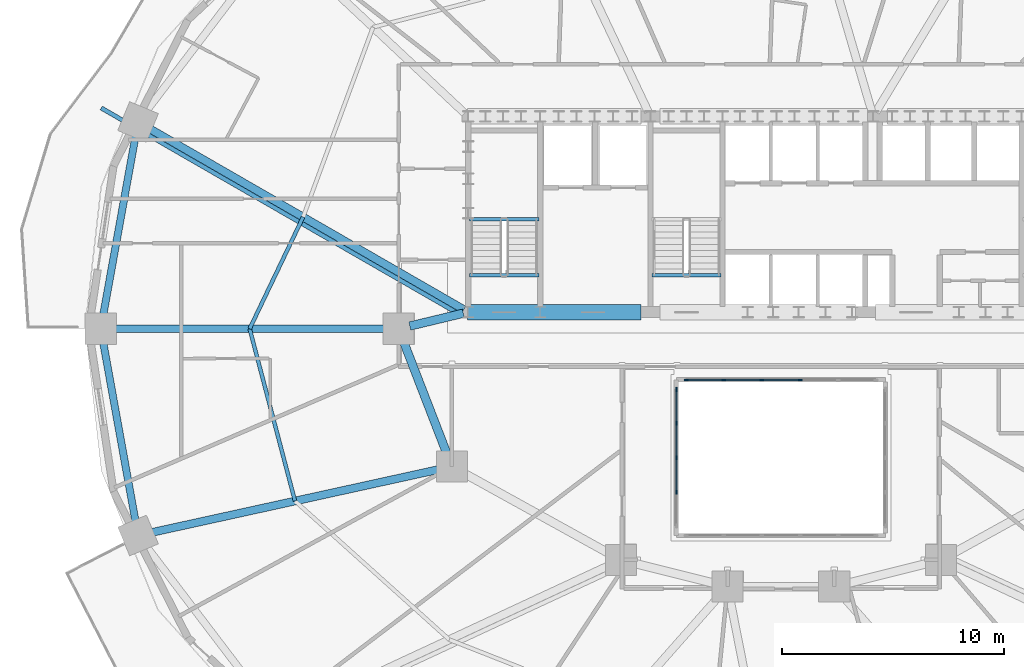
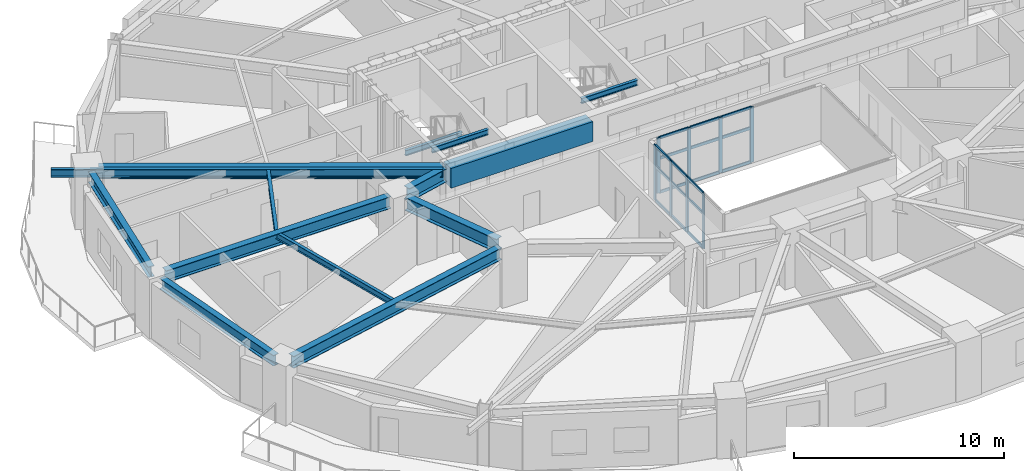
# One storey, part 4 of 18: 26 members, 14 beams, 2 elements without a shape of their own.
"""IFC4 building model written with IfcOpenShell, lengths in metres."""

from ifc_helpers import new_model, si_unit, direction, frame, origin, origin_2d, place, context, subcontext, project, spatial, rectangle, i_section, extrude, material, material_profile, profile_set, type_object, element, aggregate, save


model = new_model("IFC4")

# Units and contexts
model_context = context("Model", 3, precision=1e-05, world=origin(), true_north=direction((0.0, 1.0)))
body_context = subcontext(model_context, "Body", "Model", "MODEL_VIEW")
ifc_project = project(units=[si_unit("LENGTHUNIT", "METRE"), si_unit("AREAUNIT", "SQUARE_METRE"), si_unit("VOLUMEUNIT", "CUBIC_METRE"), si_unit("PLANEANGLEUNIT", "RADIAN"), si_unit("MASSUNIT", "GRAM", prefix="KILO")], contexts=[model_context])

# Site, building, storey
site_placement = place(None, origin())
site = spatial("IfcSite", under=ifc_project, at=site_placement, CompositionType="ELEMENT")
building_placement = place(site_placement, origin())
building = spatial("IfcBuilding", under=site, at=building_placement, Name="Haldorwick Loom Tower", CompositionType="ELEMENT")
storey_placement = place(building_placement, frame((0.0, 0.0, 41.25)))
storey = spatial("IfcBuildingStorey", under=building, at=storey_placement, Name="L10", CompositionType="ELEMENT", Elevation=41.25)

# Curtain wall, members
ifc_material_1 = material(Name="Thermally Broken Anodized Aluminium Curtain Wall Framing", Category="aluminium")
curtain_wall_type = type_object("IfcCurtainWallType", Name="ARC-CW-03", PredefinedType="NOTDEFINED", material=ifc_material_1)
curtain_wall_1_placement = place(storey_placement, origin())
curtain_wall_1 = element("IfcCurtainWall", 1, at=curtain_wall_1_placement, inside=storey, type_object=curtain_wall_type, Name="L10 Atrium Glazed Screen N", PredefinedType="NOTDEFINED")
ifc_material_profile_1 = material_profile(ifc_material_1, rectangle(XDim=0.06591796875, YDim=0.18505859375, at=origin_2d()), Name="ALU_MUL_66X185", Category="aluminium")
ifc_profile_set_1 = profile_set([ifc_material_profile_1], Name="Thermally Broken Anodized Aluminium Curtain Wall Framing")
member_type_1 = type_object("IfcMemberType", Name="ARC-CWM-03", PredefinedType="MULLION", material=ifc_profile_set_1)
member_1_placement = place(storey_placement, frame((31.73291015625, 23.699951171875, 0.0), z_axis=(0.0, 0.0, 1.0), x_axis=(0.0, 1.0, 0.0)))
member_1 = element("IfcMember", 2, at=member_1_placement, type_object=member_type_1, Name="CW-03 mullion 1", PredefinedType="MULLION", context=body_context, shape_type="SweptSolid", body=[
    extrude(rectangle(XDim=0.06591796875, YDim=0.18505859375, at=origin_2d()), origin(), (0.0, 0.0, 1.0), 3.2099609375),
])
member_2_placement = place(storey_placement, frame((33.419921875, 23.699951171875, 0.0), z_axis=(0.0, 0.0, 1.0), x_axis=(0.0, 1.0, 0.0)))
member_2 = element("IfcMember", 3, at=member_2_placement, type_object=member_type_1, Name="CW-03 mullion 2", PredefinedType="MULLION", context=body_context, shape_type="SweptSolid", body=[
    extrude(rectangle(XDim=0.06591796875, YDim=0.18505859375, at=origin_2d()), origin(), (0.0, 0.0, 1.0), 3.2099609375),
])
member_3_placement = place(storey_placement, frame((35.139892578125, 23.699951171875, 0.0), z_axis=(0.0, 0.0, 1.0), x_axis=(0.0, 1.0, 0.0)))
member_3 = element("IfcMember", 4, at=member_3_placement, type_object=member_type_1, Name="CW-03 mullion 3", PredefinedType="MULLION", context=body_context, shape_type="SweptSolid", body=[
    extrude(rectangle(XDim=0.06591796875, YDim=0.18505859375, at=origin_2d()), origin(), (0.0, 0.0, 1.0), 3.2099609375),
])
member_4_placement = place(storey_placement, frame((36.860107421875, 23.699951171875, 0.0), z_axis=(0.0, 0.0, 1.0), x_axis=(0.0, 1.0, 0.0)))
member_4 = element("IfcMember", 5, at=member_4_placement, type_object=member_type_1, Name="CW-03 mullion 4", PredefinedType="MULLION", context=body_context, shape_type="SweptSolid", body=[
    extrude(rectangle(XDim=0.06591796875, YDim=0.18505859375, at=origin_2d()), origin(), (0.0, 0.0, 1.0), 3.2099609375),
])

curtain_wall_2_placement = place(storey_placement, origin())
curtain_wall_2 = element("IfcCurtainWall", 6, at=curtain_wall_2_placement, inside=storey, type_object=curtain_wall_type, Name="L10 Atrium Glazed Screen W", PredefinedType="NOTDEFINED")
member_5_placement = place(storey_placement, frame((31.300048828125, 18.64990234375, 0.0), z_axis=(0.0, 0.0, 1.0), x_axis=(-1.0, 0.0, 0.0)))
member_5 = element("IfcMember", 7, at=member_5_placement, type_object=member_type_1, Name="CW-03 mullion 2", PredefinedType="MULLION", context=body_context, shape_type="SweptSolid", body=[
    extrude(rectangle(XDim=0.06591796875, YDim=0.18505859375, at=origin_2d()), origin(), (0.0, 0.0, 1.0), 3.2099609375),
])
member_6_placement = place(storey_placement, frame((31.300048828125, 20.199951171875, 0.0), z_axis=(0.0, 0.0, 1.0), x_axis=(-1.0, 0.0, 0.0)))
member_6 = element("IfcMember", 8, at=member_6_placement, type_object=member_type_1, Name="CW-03 mullion 3", PredefinedType="MULLION", context=body_context, shape_type="SweptSolid", body=[
    extrude(rectangle(XDim=0.06591796875, YDim=0.18505859375, at=origin_2d()), origin(), (0.0, 0.0, 1.0), 3.2099609375),
])
member_7_placement = place(storey_placement, frame((31.300048828125, 21.75, 0.0), z_axis=(0.0, 0.0, 1.0), x_axis=(-1.0, 0.0, 0.0)))
member_7 = element("IfcMember", 9, at=member_7_placement, type_object=member_type_1, Name="CW-03 mullion 4", PredefinedType="MULLION", context=body_context, shape_type="SweptSolid", body=[
    extrude(rectangle(XDim=0.06591796875, YDim=0.18505859375, at=origin_2d()), origin(), (0.0, 0.0, 1.0), 3.2099609375),
])
member_8_placement = place(storey_placement, frame((31.300048828125, 23.26708984375, 0.0), z_axis=(0.0, 0.0, 1.0), x_axis=(-1.0, 0.0, 0.0)))
member_8 = element("IfcMember", 10, at=member_8_placement, type_object=member_type_1, Name="CW-03 mullion 5", PredefinedType="MULLION", context=body_context, shape_type="SweptSolid", body=[
    extrude(rectangle(XDim=0.06591796875, YDim=0.18505859375, at=origin_2d()), origin(), (0.0, 0.0, 1.0), 3.2099609375),
])

# Member
ifc_material_profile_2 = material_profile(ifc_material_1, rectangle(XDim=0.06591796875, YDim=0.1650390625, at=origin_2d()), Name="ALU_TRN_66X165", Category="aluminium")
ifc_profile_set_2 = profile_set([ifc_material_profile_2], Name="Thermally Broken Anodized Aluminium Curtain Wall Framing")
member_type_2 = type_object("IfcMemberType", Name="ARC-CWT-03", PredefinedType="USERDEFINED", material=ifc_profile_set_2)
member_9_placement = place(storey_placement, frame((31.76611328125, 23.699951171875, 0.032958984375), z_axis=(1.0, 0.0, 0.0), x_axis=(0.0, 1.0, 0.0)))
member_9 = element("IfcMember", 11, at=member_9_placement, type_object=member_type_2, Name="CW-03 transom 1.1", ObjectType="TRANSOM", PredefinedType="USERDEFINED", context=body_context, shape_type="SweptSolid", body=[
    extrude(rectangle(XDim=0.06591796875, YDim=0.1650390625, at=origin_2d()), origin(), (0.0, 0.0, 1.0), 1.620849609375),
])

member_10_placement = place(storey_placement, frame((31.76611328125, 23.699951171875, 2.0), z_axis=(1.0, 0.0, 0.0), x_axis=(0.0, 1.0, 0.0)))
member_10 = element("IfcMember", 12, at=member_10_placement, type_object=member_type_2, Name="CW-03 transom 1.2", ObjectType="TRANSOM", PredefinedType="USERDEFINED", context=body_context, shape_type="SweptSolid", body=[
    extrude(rectangle(XDim=0.06591796875, YDim=0.1650390625, at=origin_2d()), origin(), (0.0, 0.0, 1.0), 1.620849609375),
])

member_11_placement = place(storey_placement, frame((31.76611328125, 23.699951171875, 3.177001953125), z_axis=(1.0, 0.0, 0.0), x_axis=(0.0, 1.0, 0.0)))
member_11 = element("IfcMember", 13, at=member_11_placement, type_object=member_type_2, Name="CW-03 transom 1.3", ObjectType="TRANSOM", PredefinedType="USERDEFINED", context=body_context, shape_type="SweptSolid", body=[
    extrude(rectangle(XDim=0.06591796875, YDim=0.1650390625, at=origin_2d()), origin(), (0.0, 0.0, 1.0), 1.620849609375),
])

member_12_placement = place(storey_placement, frame((33.452880859375, 23.699951171875, 0.032958984375), z_axis=(1.0, 0.0, 0.0), x_axis=(0.0, 1.0, 0.0)))
member_12 = element("IfcMember", 14, at=member_12_placement, type_object=member_type_2, Name="CW-03 transom 2.1", ObjectType="TRANSOM", PredefinedType="USERDEFINED", context=body_context, shape_type="SweptSolid", body=[
    extrude(rectangle(XDim=0.06591796875, YDim=0.1650390625, at=origin_2d()), origin(), (0.0, 0.0, 1.0), 1.654052734375),
])

member_13_placement = place(storey_placement, frame((33.452880859375, 23.699951171875, 2.0), z_axis=(1.0, 0.0, 0.0), x_axis=(0.0, 1.0, 0.0)))
member_13 = element("IfcMember", 15, at=member_13_placement, type_object=member_type_2, Name="CW-03 transom 2.2", ObjectType="TRANSOM", PredefinedType="USERDEFINED", context=body_context, shape_type="SweptSolid", body=[
    extrude(rectangle(XDim=0.06591796875, YDim=0.1650390625, at=origin_2d()), origin(), (0.0, 0.0, 1.0), 1.654052734375),
])

member_14_placement = place(storey_placement, frame((33.452880859375, 23.699951171875, 3.177001953125), z_axis=(1.0, 0.0, 0.0), x_axis=(0.0, 1.0, 0.0)))
member_14 = element("IfcMember", 16, at=member_14_placement, type_object=member_type_2, Name="CW-03 transom 2.3", ObjectType="TRANSOM", PredefinedType="USERDEFINED", context=body_context, shape_type="SweptSolid", body=[
    extrude(rectangle(XDim=0.06591796875, YDim=0.1650390625, at=origin_2d()), origin(), (0.0, 0.0, 1.0), 1.654052734375),
])

member_15_placement = place(storey_placement, frame((35.173095703125, 23.699951171875, 0.032958984375), z_axis=(1.0, 0.0, 0.0), x_axis=(0.0, 1.0, 0.0)))
member_15 = element("IfcMember", 17, at=member_15_placement, type_object=member_type_2, Name="CW-03 transom 3.1", ObjectType="TRANSOM", PredefinedType="USERDEFINED", context=body_context, shape_type="SweptSolid", body=[
    extrude(rectangle(XDim=0.06591796875, YDim=0.1650390625, at=origin_2d()), origin(), (0.0, 0.0, 1.0), 1.65380859375),
])

member_16_placement = place(storey_placement, frame((35.173095703125, 23.699951171875, 2.0), z_axis=(1.0, 0.0, 0.0), x_axis=(0.0, 1.0, 0.0)))
member_16 = element("IfcMember", 18, at=member_16_placement, type_object=member_type_2, Name="CW-03 transom 3.2", ObjectType="TRANSOM", PredefinedType="USERDEFINED", context=body_context, shape_type="SweptSolid", body=[
    extrude(rectangle(XDim=0.06591796875, YDim=0.1650390625, at=origin_2d()), origin(), (0.0, 0.0, 1.0), 1.65380859375),
])

member_17_placement = place(storey_placement, frame((35.173095703125, 23.699951171875, 3.177001953125), z_axis=(1.0, 0.0, 0.0), x_axis=(0.0, 1.0, 0.0)))
member_17 = element("IfcMember", 19, at=member_17_placement, type_object=member_type_2, Name="CW-03 transom 3.3", ObjectType="TRANSOM", PredefinedType="USERDEFINED", context=body_context, shape_type="SweptSolid", body=[
    extrude(rectangle(XDim=0.06591796875, YDim=0.1650390625, at=origin_2d()), origin(), (0.0, 0.0, 1.0), 1.65380859375),
])

aggregate(curtain_wall_1, [member_1, member_2, member_3, member_4, member_9, member_10, member_11, member_12, member_13, member_14, member_15, member_16, member_17])

member_18_placement = place(storey_placement, frame((31.300048828125, 18.68310546875, 0.032958984375), z_axis=(0.0, 1.0, 0.0), x_axis=(-1.0, 0.0, 0.0)))
member_18 = element("IfcMember", 20, at=member_18_placement, type_object=member_type_2, Name="CW-03 transom 2.1", ObjectType="TRANSOM", PredefinedType="USERDEFINED", context=body_context, shape_type="SweptSolid", body=[
    extrude(rectangle(XDim=0.06591796875, YDim=0.1650390625, at=origin_2d()), origin(), (0.0, 0.0, 1.0), 1.48388671875),
])

member_19_placement = place(storey_placement, frame((31.300048828125, 18.68310546875, 2.0), z_axis=(0.0, 1.0, 0.0), x_axis=(-1.0, 0.0, 0.0)))
member_19 = element("IfcMember", 21, at=member_19_placement, type_object=member_type_2, Name="CW-03 transom 2.2", ObjectType="TRANSOM", PredefinedType="USERDEFINED", context=body_context, shape_type="SweptSolid", body=[
    extrude(rectangle(XDim=0.06591796875, YDim=0.1650390625, at=origin_2d()), origin(), (0.0, 0.0, 1.0), 1.48388671875),
])

member_20_placement = place(storey_placement, frame((31.300048828125, 18.68310546875, 3.177001953125), z_axis=(0.0, 1.0, 0.0), x_axis=(-1.0, 0.0, 0.0)))
member_20 = element("IfcMember", 22, at=member_20_placement, type_object=member_type_2, Name="CW-03 transom 2.3", ObjectType="TRANSOM", PredefinedType="USERDEFINED", context=body_context, shape_type="SweptSolid", body=[
    extrude(rectangle(XDim=0.06591796875, YDim=0.1650390625, at=origin_2d()), origin(), (0.0, 0.0, 1.0), 1.48388671875),
])

member_21_placement = place(storey_placement, frame((31.300048828125, 20.23291015625, 0.032958984375), z_axis=(0.0, 1.0, 0.0), x_axis=(-1.0, 0.0, 0.0)))
member_21 = element("IfcMember", 23, at=member_21_placement, type_object=member_type_2, Name="CW-03 transom 3.1", ObjectType="TRANSOM", PredefinedType="USERDEFINED", context=body_context, shape_type="SweptSolid", body=[
    extrude(rectangle(XDim=0.06591796875, YDim=0.1650390625, at=origin_2d()), origin(), (0.0, 0.0, 1.0), 1.484130859375),
])

member_22_placement = place(storey_placement, frame((31.300048828125, 20.23291015625, 2.0), z_axis=(0.0, 1.0, 0.0), x_axis=(-1.0, 0.0, 0.0)))
member_22 = element("IfcMember", 24, at=member_22_placement, type_object=member_type_2, Name="CW-03 transom 3.2", ObjectType="TRANSOM", PredefinedType="USERDEFINED", context=body_context, shape_type="SweptSolid", body=[
    extrude(rectangle(XDim=0.06591796875, YDim=0.1650390625, at=origin_2d()), origin(), (0.0, 0.0, 1.0), 1.484130859375),
])

member_23_placement = place(storey_placement, frame((31.300048828125, 20.23291015625, 3.177001953125), z_axis=(0.0, 1.0, 0.0), x_axis=(-1.0, 0.0, 0.0)))
member_23 = element("IfcMember", 25, at=member_23_placement, type_object=member_type_2, Name="CW-03 transom 3.3", ObjectType="TRANSOM", PredefinedType="USERDEFINED", context=body_context, shape_type="SweptSolid", body=[
    extrude(rectangle(XDim=0.06591796875, YDim=0.1650390625, at=origin_2d()), origin(), (0.0, 0.0, 1.0), 1.484130859375),
])

member_24_placement = place(storey_placement, frame((31.300048828125, 21.782958984375, 0.032958984375), z_axis=(0.0, 1.0, 0.0), x_axis=(-1.0, 0.0, 0.0)))
member_24 = element("IfcMember", 26, at=member_24_placement, type_object=member_type_2, Name="CW-03 transom 4.1", ObjectType="TRANSOM", PredefinedType="USERDEFINED", context=body_context, shape_type="SweptSolid", body=[
    extrude(rectangle(XDim=0.06591796875, YDim=0.1650390625, at=origin_2d()), origin(), (0.0, 0.0, 1.0), 1.450927734375),
])

member_25_placement = place(storey_placement, frame((31.300048828125, 21.782958984375, 2.0), z_axis=(0.0, 1.0, 0.0), x_axis=(-1.0, 0.0, 0.0)))
member_25 = element("IfcMember", 27, at=member_25_placement, type_object=member_type_2, Name="CW-03 transom 4.2", ObjectType="TRANSOM", PredefinedType="USERDEFINED", context=body_context, shape_type="SweptSolid", body=[
    extrude(rectangle(XDim=0.06591796875, YDim=0.1650390625, at=origin_2d()), origin(), (0.0, 0.0, 1.0), 1.450927734375),
])

member_26_placement = place(storey_placement, frame((31.300048828125, 21.782958984375, 3.177001953125), z_axis=(0.0, 1.0, 0.0), x_axis=(-1.0, 0.0, 0.0)))
member_26 = element("IfcMember", 28, at=member_26_placement, type_object=member_type_2, Name="CW-03 transom 4.3", ObjectType="TRANSOM", PredefinedType="USERDEFINED", context=body_context, shape_type="SweptSolid", body=[
    extrude(rectangle(XDim=0.06591796875, YDim=0.1650390625, at=origin_2d()), origin(), (0.0, 0.0, 1.0), 1.450927734375),
])

aggregate(curtain_wall_2, [member_5, member_6, member_7, member_8, member_18, member_19, member_20, member_21, member_22, member_23, member_24, member_25, member_26])

# Beams
ifc_material_2 = material(Name="Steel CSA G40.21 350W", Category="steel")
ifc_material_profile_3 = material_profile(ifc_material_2, i_section(OverallWidth=0.193115234375, OverallDepth=0.466064453125, WebThickness=0.011474609375, FlangeThickness=0.01904296875, at=origin_2d()), Name="W460X97", Category="steel")
ifc_profile_set_3 = profile_set([ifc_material_profile_3], Name="Steel CSA G40.21 350W")
beam_type_1 = type_object("IfcBeamType", Name="STR-BM-BAL460", PredefinedType="BEAM", material=ifc_profile_set_3)
beam_1_placement = place(storey_placement, frame((21.59521484375, 26.61962890625, 2.97705078125), z_axis=(-0.866607024941, 0.49899124674, 0.0), x_axis=(-0.49899124674, -0.866607024941, 0.0)))
element("IfcBeam", 29, at=beam_1_placement, inside=storey, type_object=beam_type_1, Name="L10 Continuous Back-Spanned Balcony Beam 3", PredefinedType="BEAM", context=body_context, shape_type="SweptSolid", body=[
    extrude(i_section(OverallWidth=0.193115234375, OverallDepth=0.466064453125, WebThickness=0.011474609375, FlangeThickness=0.01904296875, at=origin_2d()), origin(), (0.0, 0.0, 1.0), 18.65771484375),
])
ifc_material_3 = material(Name="Concrete C60 (60 MPa)", Category="concrete")
ifc_material_profile_4 = material_profile(ifc_material_3, rectangle(XDim=0.699951171875, YDim=1.14990234375, at=origin_2d()), Name="RC700X1150", Category="concrete")
ifc_profile_set_4 = profile_set([ifc_material_profile_4], Name="Concrete C60 (60 MPa)")
beam_type_2 = type_object("IfcBeamType", Name="STR-BM-CB1150", PredefinedType="LINTEL", material=ifc_profile_set_4)
beam_2_placement = place(storey_placement, frame((21.89990234375, 26.75, 2.635009765625), z_axis=(1.0, 0.0, 0.0), x_axis=(0.0, 1.0, 0.0)))
element("IfcBeam", 30, at=beam_2_placement, inside=storey, type_object=beam_type_2, Name="L10 Core Coupling Beam CB-S1", PredefinedType="LINTEL", context=body_context, shape_type="SweptSolid", body=[
    extrude(rectangle(XDim=0.699951171875, YDim=1.14990234375, at=origin_2d()), origin(), (0.0, 0.0, 1.0), 7.800048828125),
])
ifc_material_profile_5 = material_profile(ifc_material_2, i_section(OverallWidth=0.172119140625, OverallDepth=0.35791015625, WebThickness=0.0078125, FlangeThickness=0.01318359375, at=origin_2d()), Name="W360X57", Category="steel")
ifc_profile_set_5 = profile_set([ifc_material_profile_5], Name="Steel CSA G40.21 350W")
beam_type_3 = type_object("IfcBeamType", Name="STR-BM-J360", PredefinedType="JOIST", material=ifc_profile_set_5)
beam_3_placement = place(storey_placement, frame((14.50634765625, 31.024658203125, 3.031005859375), z_axis=(-0.431630738849, -0.902050389546, 0.0), x_axis=(0.902050389546, -0.431630738849, 0.0)))
element("IfcBeam", 31, at=beam_3_placement, inside=storey, type_object=beam_type_3, Name="L10 Mid-Bay Secondary Joist 8", PredefinedType="JOIST", context=body_context, shape_type="SweptSolid", body=[
    extrude(i_section(OverallWidth=0.172119140625, OverallDepth=0.35791015625, WebThickness=0.0078125, FlangeThickness=0.01318359375, at=origin_2d()), origin(), (0.0, 0.0, 1.0), 5.5703125),
])
beam_4_placement = place(storey_placement, frame((12.10205078125, 26.0, 3.031005859375), z_axis=(0.2544888003, -0.967075721193, 0.0), x_axis=(0.967075721193, 0.2544888003, 0.0)))
element("IfcBeam", 32, at=beam_4_placement, inside=storey, type_object=beam_type_3, Name="L10 Mid-Bay Secondary Joist 9", PredefinedType="JOIST", context=body_context, shape_type="SweptSolid", body=[
    extrude(i_section(OverallWidth=0.172119140625, OverallDepth=0.35791015625, WebThickness=0.0078125, FlangeThickness=0.01318359375, at=origin_2d()), origin(), (0.0, 0.0, 1.0), 8.013427734375),
])
ifc_material_profile_6 = material_profile(ifc_material_2, i_section(OverallWidth=0.324951171875, OverallDepth=0.615966796875, WebThickness=0.013916015625, FlangeThickness=0.021484375, at=origin_2d()), Name="W610X174", Category="steel")
ifc_profile_set_6 = profile_set([ifc_material_profile_6], Name="Steel CSA G40.21 350W")
beam_type_4 = type_object("IfcBeamType", Name="STR-BM-SP610", PredefinedType="SPANDREL", material=ifc_profile_set_6)
for number, where, z_axis, x_axis, name in (
    (33, (6.990234375, 34.78759765625, 2.902099609375), (-0.177641139482, -0.984095333575, 0.0), (0.984095333575, -0.177641139482, 0.0), "L10 Perimeter Spandrel 8"),
    (34, (5.496337890625, 25.48828125, 2.902099609375), (0.177641139482, -0.984095333575, 0.0), (0.984095333575, 0.177641139482, 0.0), "L10 Perimeter Spandrel 9"),
):
    element("IfcBeam", number, at=place(storey_placement, frame(where, z_axis=z_axis, x_axis=x_axis)), inside=storey, type_object=beam_type_4, Name=name, PredefinedType="SPANDREL", context=body_context, shape_type="SweptSolid", body=[
        extrude(i_section(OverallWidth=0.324951171875, OverallDepth=0.615966796875, WebThickness=0.013916015625, FlangeThickness=0.021484375, at=origin_2d()), origin(), (0.0, 0.0, 1.0), 8.40966796875),
    ])
ifc_material_profile_7 = material_profile(ifc_material_2, i_section(OverallWidth=0.166015625, OverallDepth=0.31298828125, WebThickness=0.006591796875, FlangeThickness=0.01123046875, at=origin_2d()), Name="W310X45", Category="steel")
ifc_profile_set_7 = profile_set([ifc_material_profile_7], Name="Steel CSA G40.21 350W")
beam_type_5 = type_object("IfcBeamType", Name="STR-BM-STRM", PredefinedType="BEAM", material=ifc_profile_set_7)
for number, where, z_axis, x_axis, name in (
    (35, (21.989990234375, 28.39990234375, 3.053466796875), (1.0, 0.0, 0.0), (0.0, 1.0, 0.0), "L10 Stair ST-01 Landing Edge Trimmer"),
    (36, (21.989990234375, 30.919921875, 1.368408203125), (1.0, 0.0, 0.0), (0.0, 1.0, 0.0), "L10 Stair ST-01 Half-Landing Trimmer 1"),
    (37, (30.18994140625, 28.39990234375, 3.053466796875), (1.0, 0.0, 0.0), (0.0, 1.0, 0.0), "L10 Stair ST-03 Landing Edge Trimmer"),
):
    element("IfcBeam", number, at=place(storey_placement, frame(where, z_axis=z_axis, x_axis=x_axis)), inside=storey, type_object=beam_type_5, Name=name, PredefinedType="BEAM", context=body_context, shape_type="SweptSolid", body=[
        extrude(i_section(OverallWidth=0.166015625, OverallDepth=0.31298828125, WebThickness=0.006591796875, FlangeThickness=0.01123046875, at=origin_2d()), origin(), (0.0, 0.0, 1.0), 3.1201171875),
    ])
ifc_material_profile_8 = material_profile(ifc_material_2, i_section(OverallWidth=0.35498046875, OverallDepth=0.695068359375, WebThickness=0.015380859375, FlangeThickness=0.02490234375, at=origin_2d()), Name="W690X217", Category="steel")
ifc_profile_set_8 = profile_set([ifc_material_profile_8], Name="Steel CSA G40.21 350W")
beam_type_6 = type_object("IfcBeamType", Name="STR-BM-W690", PredefinedType="BEAM", material=ifc_profile_set_8)
beam_5_placement = place(storey_placement, frame((21.735107421875, 26.8623046875, 2.862548828125), z_axis=(-0.86660566838, 0.498993602696, 0.0), x_axis=(-0.498993602696, -0.86660566838, 0.0)))
element("IfcBeam", 38, at=beam_5_placement, inside=storey, type_object=beam_type_6, Name="L10 Radial Floor Girder 8", PredefinedType="BEAM", context=body_context, shape_type="SweptSolid", body=[
    extrude(i_section(OverallWidth=0.35498046875, OverallDepth=0.695068359375, WebThickness=0.015380859375, FlangeThickness=0.02490234375, at=origin_2d()), origin(), (0.0, 0.0, 1.0), 16.387939453125),
])
beam_6_placement = place(storey_placement, frame((18.280029296875, 26.0, 2.862548828125), z_axis=(-1.0, 0.0, 0.0), x_axis=(0.0, -1.0, 0.0)))
element("IfcBeam", 39, at=beam_6_placement, inside=storey, type_object=beam_type_6, Name="L10 Radial Floor Girder 9", PredefinedType="BEAM", context=body_context, shape_type="SweptSolid", body=[
    extrude(i_section(OverallWidth=0.35498046875, OverallDepth=0.695068359375, WebThickness=0.015380859375, FlangeThickness=0.02490234375, at=origin_2d()), origin(), (0.0, 0.0, 1.0), 12.35595703125),
])
beam_7_placement = place(storey_placement, frame((20.692138671875, 19.6884765625, 2.862548828125), z_axis=(-0.976740159434, -0.214426353203, 0.0), x_axis=(0.214426353203, -0.976740159434, 0.0)))
element("IfcBeam", 40, at=beam_7_placement, inside=storey, type_object=beam_type_6, Name="L10 Radial Floor Girder 10", PredefinedType="BEAM", context=body_context, shape_type="SweptSolid", body=[
    extrude(i_section(OverallWidth=0.35498046875, OverallDepth=0.695068359375, WebThickness=0.015380859375, FlangeThickness=0.02490234375, at=origin_2d()), origin(), (0.0, 0.0, 1.0), 13.41357421875),
])
ifc_material_profile_9 = material_profile(ifc_material_2, i_section(OverallWidth=0.381103515625, OverallDepth=0.77294921875, WebThickness=0.0166015625, FlangeThickness=0.027587890625, at=origin_2d()), Name="W760X257", Category="steel")
ifc_profile_set_9 = profile_set([ifc_material_profile_9], Name="Steel CSA G40.21 350W")
beam_type_7 = type_object("IfcBeamType", Name="STR-BM-W760", PredefinedType="BEAM", material=ifc_profile_set_9)
beam_8_placement = place(storey_placement, frame((21.01220703125, 20.284912109375, 2.823486328125), z_axis=(-0.360964792353, 0.93257944363, 0.0), x_axis=(-0.93257944363, -0.360964792353, 0.0)))
element("IfcBeam", 41, at=beam_8_placement, inside=storey, type_object=beam_type_7, Name="L10 Inner Ring Girder 8", PredefinedType="BEAM", context=body_context, shape_type="SweptSolid", body=[
    extrude(i_section(OverallWidth=0.381103515625, OverallDepth=0.77294921875, WebThickness=0.0166015625, FlangeThickness=0.027587890625, at=origin_2d()), origin(), (0.0, 0.0, 1.0), 5.6083984375),
])
beam_9_placement = place(storey_placement, frame((19.3056640625, 26.12109375, 2.823486328125), z_axis=(0.97247055837, 0.233025777764, 0.0), x_axis=(-0.233025777764, 0.97247055837, 0.0)))
element("IfcBeam", 42, at=beam_9_placement, inside=storey, type_object=beam_type_7, Name="L10 Inner Ring Girder 9", PredefinedType="BEAM", context=body_context, shape_type="SweptSolid", body=[
    extrude(i_section(OverallWidth=0.381103515625, OverallDepth=0.77294921875, WebThickness=0.0166015625, FlangeThickness=0.027587890625, at=origin_2d()), origin(), (0.0, 0.0, 1.0), 2.4736328125),
])

save(model, "model.ifc")
